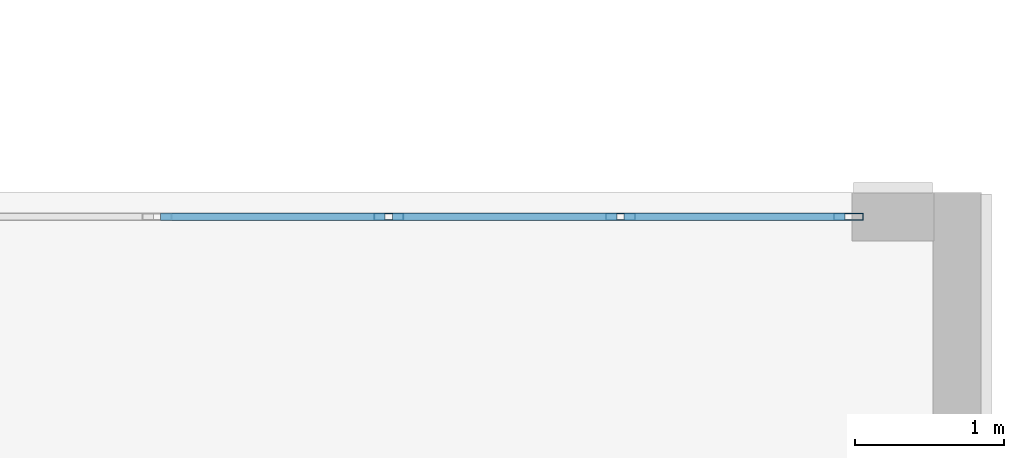
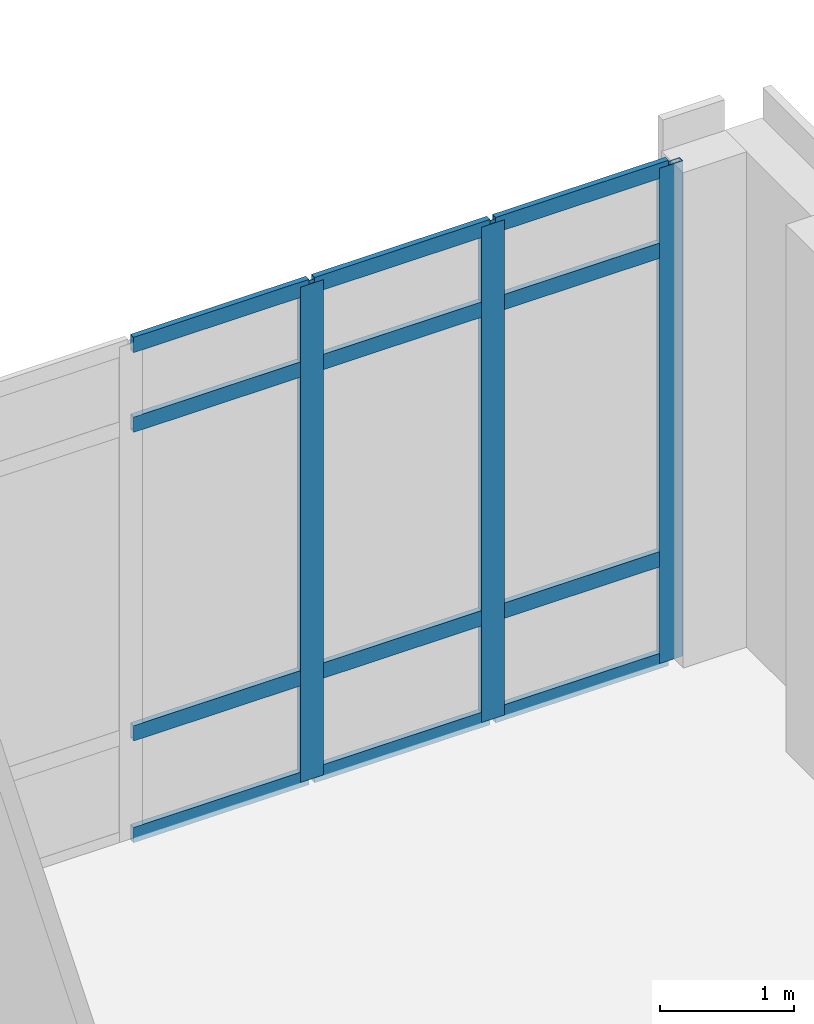
# One storey, part 21 of 189: 15 members, 1 element without a shape of its own.
"""IFC4 building model written with IfcOpenShell, lengths in metres."""

from ifc_helpers import new_model, si_unit, direction, frame, origin, origin_2d, place, context, subcontext, project, spatial, hollow_rectangle, extrude, material, layer, layer_set, material_profile, profile_set, type_object, element, aggregate, save


model = new_model("IFC4")

# Units and contexts
model_context = context("Model", 3, precision=1e-05, world=origin(), true_north=direction((0.0, 1.0)))
body_context = subcontext(model_context, "Body", "Model", "MODEL_VIEW")
ifc_project = project(units=[si_unit("LENGTHUNIT", "METRE"), si_unit("AREAUNIT", "SQUARE_METRE"), si_unit("VOLUMEUNIT", "CUBIC_METRE"), si_unit("PLANEANGLEUNIT", "RADIAN"), si_unit("MASSUNIT", "GRAM", prefix="KILO")], contexts=[model_context])

# Site, building, storey
site_placement = place(None, origin())
site = spatial("IfcSite", under=ifc_project, at=site_placement, CompositionType="ELEMENT")
building_placement = place(site_placement, origin())
building = spatial("IfcBuilding", under=site, at=building_placement, Name="Qalavern Law Courts", CompositionType="ELEMENT")
storey_placement = place(building_placement, frame((0.0, 0.0, 5.39990234375)))
storey = spatial("IfcBuildingStorey", under=building, at=storey_placement, Name="L01", CompositionType="ELEMENT", Elevation=5.39990234375)

# Curtain wall, members
ifc_material_1 = material(Name="Anodised aluminium and insulated glazing", Category="aluminium")
ifc_layer = layer(ifc_material_1, 0.199951171875)
ifc_layer_set = layer_set([ifc_layer], Name="Anodised aluminium and insulated glazing")
curtain_wall_type = type_object("IfcCurtainWallType", Name="ENV-CW-FOYER", PredefinedType="USERDEFINED", material=ifc_layer_set)
curtain_wall_placement = place(storey_placement, origin())
curtain_wall = element("IfcCurtainWall", 1, at=curtain_wall_placement, inside=storey, type_object=curtain_wall_type, Name="V1 unitised curtain wall L01 north 1", ObjectType="UNITISED CURTAIN WALL", PredefinedType="USERDEFINED")
ifc_material_2 = material(Name="Anodised aluminium", Category="aluminium")
ifc_material_profile_1 = material_profile(ifc_material_2, hollow_rectangle(XDim=0.048095703125, YDim=0.199951171875, WallThickness=0.00439453125, at=origin_2d()), Name="ALU MULLION 48x200")
ifc_profile_set_1 = profile_set([ifc_material_profile_1], Name="Anodised aluminium")
member_type_1 = type_object("IfcMemberType", Name="ENV-CWM-48x200", PredefinedType="MULLION", material=ifc_profile_set_1)
member_1_placement = place(storey_placement, frame((33.10595703125, 33.83740234375, 0.0), z_axis=(0.0, 0.0, 1.0), x_axis=(0.0, -1.0, 0.0)))
member_1 = element("IfcMember", 2, at=member_1_placement, type_object=member_type_1, Name="CW-01 mullion 1", PredefinedType="MULLION", context=body_context, shape_type="SweptSolid", body=[
    extrude(hollow_rectangle(XDim=0.048095703125, YDim=0.199951171875, WallThickness=0.00439453125, at=origin_2d()), origin(), (0.0, 0.0, 1.0), 4.510009765625),
])
member_2_placement = place(storey_placement, frame((31.571044921875, 33.83740234375, 0.0), z_axis=(0.0, 0.0, 1.0), x_axis=(0.0, -1.0, 0.0)))
member_2 = element("IfcMember", 3, at=member_2_placement, type_object=member_type_1, Name="CW-01 mullion 2", PredefinedType="MULLION", context=body_context, shape_type="SweptSolid", body=[
    extrude(hollow_rectangle(XDim=0.048095703125, YDim=0.199951171875, WallThickness=0.00439453125, at=origin_2d()), origin(), (0.0, 0.0, 1.0), 4.510009765625),
])
member_3_placement = place(storey_placement, frame((30.01220703125, 33.83740234375, 0.0), z_axis=(0.0, 0.0, 1.0), x_axis=(0.0, -1.0, 0.0)))
member_3 = element("IfcMember", 4, at=member_3_placement, type_object=member_type_1, Name="CW-01 mullion 3", PredefinedType="MULLION", context=body_context, shape_type="SweptSolid", body=[
    extrude(hollow_rectangle(XDim=0.048095703125, YDim=0.199951171875, WallThickness=0.00439453125, at=origin_2d()), origin(), (0.0, 0.0, 1.0), 4.510009765625),
])
ifc_material_profile_2 = material_profile(ifc_material_2, hollow_rectangle(XDim=0.048095703125, YDim=0.139892578125, WallThickness=0.00390625, at=origin_2d()), Name="ALU TRANSOM 48x140")
ifc_profile_set_2 = profile_set([ifc_material_profile_2], Name="Anodised aluminium")
member_type_2 = type_object("IfcMemberType", Name="ENV-CWT-48x140", PredefinedType="USERDEFINED", material=ifc_profile_set_2)
member_4_placement = place(storey_placement, frame((33.08203125, 33.83740234375, 0.024169921875), z_axis=(-1.0, 0.0, 0.0), x_axis=(0.0, -1.0, 0.0)))
member_4 = element("IfcMember", 5, at=member_4_placement, type_object=member_type_2, Name="CW-01 transom 1.1", ObjectType="TRANSOM", PredefinedType="USERDEFINED", context=body_context, shape_type="SweptSolid", body=[
    extrude(hollow_rectangle(XDim=0.048095703125, YDim=0.139892578125, WallThickness=0.00390625, at=origin_2d()), origin(), (0.0, 0.0, 1.0), 1.48681640625),
])
member_5_placement = place(storey_placement, frame((33.08203125, 33.83740234375, 0.9501953125), z_axis=(-1.0, 0.0, 0.0), x_axis=(0.0, -1.0, 0.0)))
member_5 = element("IfcMember", 6, at=member_5_placement, type_object=member_type_2, Name="CW-01 transom 1.2", ObjectType="TRANSOM", PredefinedType="USERDEFINED", context=body_context, shape_type="SweptSolid", body=[
    extrude(hollow_rectangle(XDim=0.048095703125, YDim=0.139892578125, WallThickness=0.00390625, at=origin_2d()), origin(), (0.0, 0.0, 1.0), 1.48681640625),
])
member_6_placement = place(storey_placement, frame((33.08203125, 33.83740234375, 3.760009765625), z_axis=(-1.0, 0.0, 0.0), x_axis=(0.0, -1.0, 0.0)))
member_6 = element("IfcMember", 7, at=member_6_placement, type_object=member_type_2, Name="CW-01 transom 1.3", ObjectType="TRANSOM", PredefinedType="USERDEFINED", context=body_context, shape_type="SweptSolid", body=[
    extrude(hollow_rectangle(XDim=0.048095703125, YDim=0.139892578125, WallThickness=0.00390625, at=origin_2d()), origin(), (0.0, 0.0, 1.0), 1.48681640625),
])
member_7_placement = place(storey_placement, frame((33.08203125, 33.83740234375, 4.486083984375), z_axis=(-1.0, 0.0, 0.0), x_axis=(0.0, -1.0, 0.0)))
member_7 = element("IfcMember", 8, at=member_7_placement, type_object=member_type_2, Name="CW-01 transom 1.4", ObjectType="TRANSOM", PredefinedType="USERDEFINED", context=body_context, shape_type="SweptSolid", body=[
    extrude(hollow_rectangle(XDim=0.048095703125, YDim=0.139892578125, WallThickness=0.00390625, at=origin_2d()), origin(), (0.0, 0.0, 1.0), 1.48681640625),
])
member_8_placement = place(storey_placement, frame((31.547119140625, 33.83740234375, 0.024169921875), z_axis=(-1.0, 0.0, 0.0), x_axis=(0.0, -1.0, 0.0)))
member_8 = element("IfcMember", 9, at=member_8_placement, type_object=member_type_2, Name="CW-01 transom 2.1", ObjectType="TRANSOM", PredefinedType="USERDEFINED", context=body_context, shape_type="SweptSolid", body=[
    extrude(hollow_rectangle(XDim=0.048095703125, YDim=0.139892578125, WallThickness=0.00390625, at=origin_2d()), origin(), (0.0, 0.0, 1.0), 1.510986328125),
])
member_9_placement = place(storey_placement, frame((31.547119140625, 33.83740234375, 0.9501953125), z_axis=(-1.0, 0.0, 0.0), x_axis=(0.0, -1.0, 0.0)))
member_9 = element("IfcMember", 10, at=member_9_placement, type_object=member_type_2, Name="CW-01 transom 2.2", ObjectType="TRANSOM", PredefinedType="USERDEFINED", context=body_context, shape_type="SweptSolid", body=[
    extrude(hollow_rectangle(XDim=0.048095703125, YDim=0.139892578125, WallThickness=0.00390625, at=origin_2d()), origin(), (0.0, 0.0, 1.0), 1.510986328125),
])
member_10_placement = place(storey_placement, frame((31.547119140625, 33.83740234375, 3.760009765625), z_axis=(-1.0, 0.0, 0.0), x_axis=(0.0, -1.0, 0.0)))
member_10 = element("IfcMember", 11, at=member_10_placement, type_object=member_type_2, Name="CW-01 transom 2.3", ObjectType="TRANSOM", PredefinedType="USERDEFINED", context=body_context, shape_type="SweptSolid", body=[
    extrude(hollow_rectangle(XDim=0.048095703125, YDim=0.139892578125, WallThickness=0.00390625, at=origin_2d()), origin(), (0.0, 0.0, 1.0), 1.510986328125),
])
member_11_placement = place(storey_placement, frame((31.547119140625, 33.83740234375, 4.486083984375), z_axis=(-1.0, 0.0, 0.0), x_axis=(0.0, -1.0, 0.0)))
member_11 = element("IfcMember", 12, at=member_11_placement, type_object=member_type_2, Name="CW-01 transom 2.4", ObjectType="TRANSOM", PredefinedType="USERDEFINED", context=body_context, shape_type="SweptSolid", body=[
    extrude(hollow_rectangle(XDim=0.048095703125, YDim=0.139892578125, WallThickness=0.00390625, at=origin_2d()), origin(), (0.0, 0.0, 1.0), 1.510986328125),
])
member_12_placement = place(storey_placement, frame((29.98828125, 33.83740234375, 0.024169921875), z_axis=(-1.0, 0.0, 0.0), x_axis=(0.0, -1.0, 0.0)))
member_12 = element("IfcMember", 13, at=member_12_placement, type_object=member_type_2, Name="CW-01 transom 3.1", ObjectType="TRANSOM", PredefinedType="USERDEFINED", context=body_context, shape_type="SweptSolid", body=[
    extrude(hollow_rectangle(XDim=0.048095703125, YDim=0.139892578125, WallThickness=0.00390625, at=origin_2d()), origin(), (0.0, 0.0, 1.0), 1.510986328125),
])
member_13_placement = place(storey_placement, frame((29.98828125, 33.83740234375, 0.9501953125), z_axis=(-1.0, 0.0, 0.0), x_axis=(0.0, -1.0, 0.0)))
member_13 = element("IfcMember", 14, at=member_13_placement, type_object=member_type_2, Name="CW-01 transom 3.2", ObjectType="TRANSOM", PredefinedType="USERDEFINED", context=body_context, shape_type="SweptSolid", body=[
    extrude(hollow_rectangle(XDim=0.048095703125, YDim=0.139892578125, WallThickness=0.00390625, at=origin_2d()), origin(), (0.0, 0.0, 1.0), 1.510986328125),
])
member_14_placement = place(storey_placement, frame((29.98828125, 33.83740234375, 3.760009765625), z_axis=(-1.0, 0.0, 0.0), x_axis=(0.0, -1.0, 0.0)))
member_14 = element("IfcMember", 15, at=member_14_placement, type_object=member_type_2, Name="CW-01 transom 3.3", ObjectType="TRANSOM", PredefinedType="USERDEFINED", context=body_context, shape_type="SweptSolid", body=[
    extrude(hollow_rectangle(XDim=0.048095703125, YDim=0.139892578125, WallThickness=0.00390625, at=origin_2d()), origin(), (0.0, 0.0, 1.0), 1.510986328125),
])
member_15_placement = place(storey_placement, frame((29.98828125, 33.83740234375, 4.486083984375), z_axis=(-1.0, 0.0, 0.0), x_axis=(0.0, -1.0, 0.0)))
member_15 = element("IfcMember", 16, at=member_15_placement, type_object=member_type_2, Name="CW-01 transom 3.4", ObjectType="TRANSOM", PredefinedType="USERDEFINED", context=body_context, shape_type="SweptSolid", body=[
    extrude(hollow_rectangle(XDim=0.048095703125, YDim=0.139892578125, WallThickness=0.00390625, at=origin_2d()), origin(), (0.0, 0.0, 1.0), 1.510986328125),
])
aggregate(curtain_wall, [member_1, member_2, member_3, member_4, member_5, member_6, member_7, member_8, member_9, member_10, member_11, member_12, member_13, member_14, member_15])

save(model, "model.ifc")
